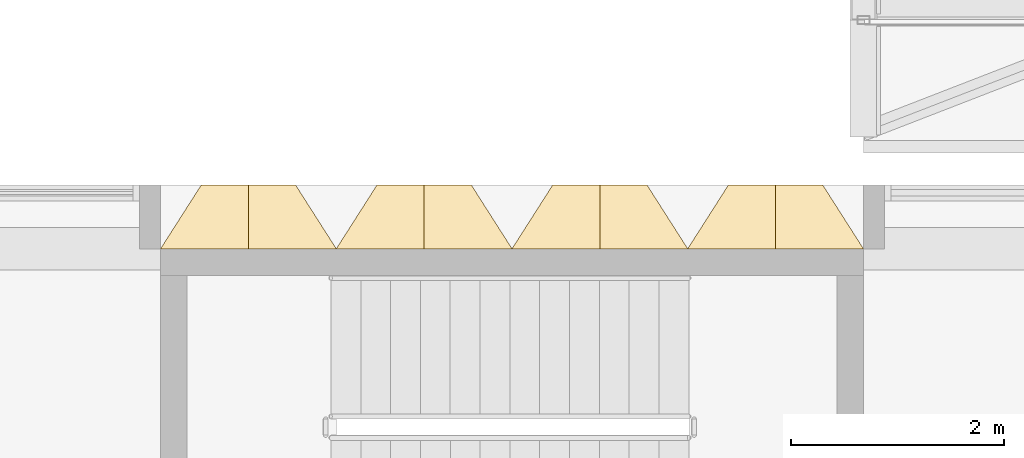
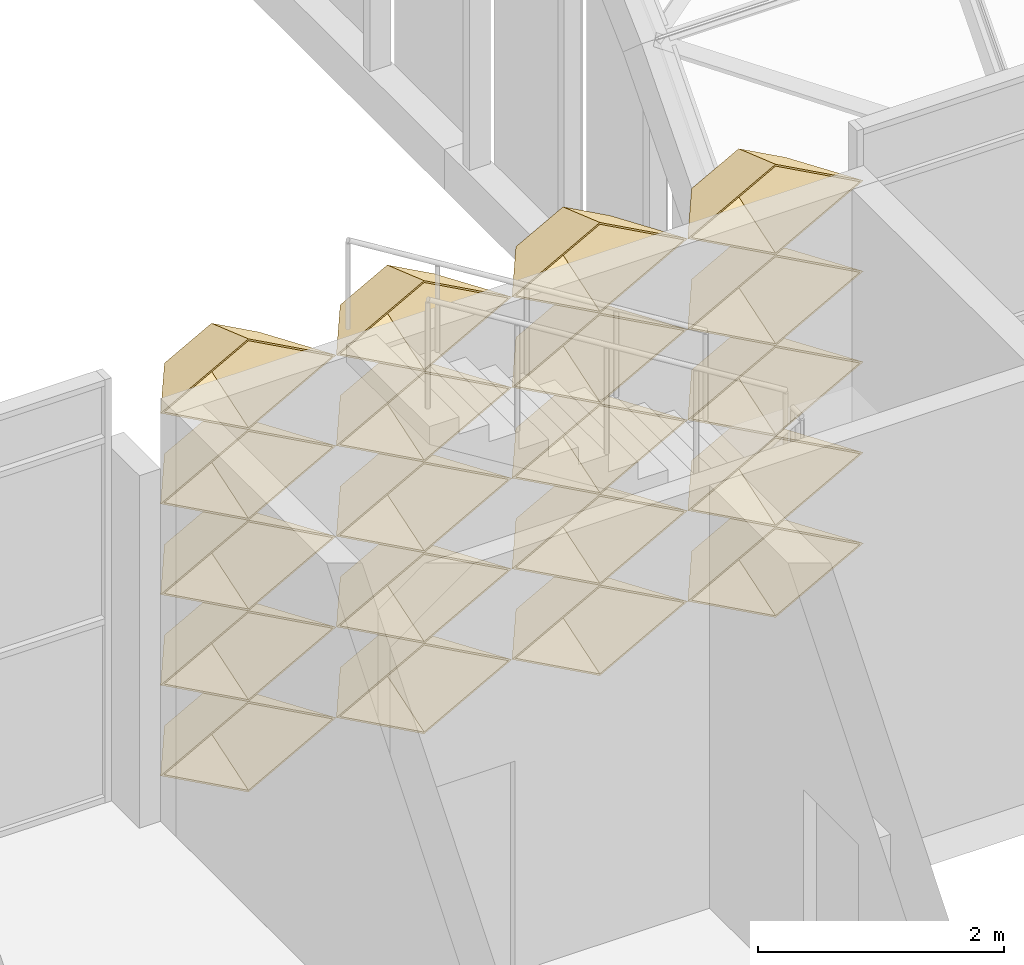
# One storey, part 75 of 109: 20 coverings.
"""IFC4 building model written with IfcOpenShell, lengths in metres."""

import ifcopenshell
import ifcopenshell.guid

model = None  # the IFC model being written
_history = None  # IfcOwnerHistory: only IFC2X3 demands one
_inside = {}  # id of a spatial element -> (the spatial element, [elements in it])
_under = {}  # id of a project, library or spatial element -> (it, [spatial elements below it])
_declared = {}  # id of a project -> (the project, [libraries it declares])
_typed = {}  # id of a type object -> (the type object, [elements of that type])
_made_of = {}  # id of a material, layer set ... -> (it, [elements and type objects made of it])


def new_model(schema):
    """Start an empty IFC model of exactly this schema.

    Asked for "IFC4X3", IfcOpenShell would pick the latest addendum, in which some entities
    have other attributes; the version numbers below select the first issue.
    IFC2X3 requires an IfcOwnerHistory on every rooted entity: one is made here for all.
    """
    global model, _history
    if schema == "IFC4X3":
        model = ifcopenshell.file(schema_version=(4, 3, 0, 0))
    else:
        model = ifcopenshell.file(schema=schema)
    _inside.clear()
    _under.clear()
    _declared.clear()
    _typed.clear()
    _made_of.clear()
    _history = None
    if model.schema == "IFC2X3":
        org = make("IfcOrganization", Name="unknown")
        user = make(
            "IfcPersonAndOrganization",
            ThePerson=make("IfcPerson", FamilyName="unknown"),
            TheOrganization=org,
        )
        app = make(
            "IfcApplication",
            ApplicationDeveloper=org,
            Version="unknown",
            ApplicationFullName="unknown",
            ApplicationIdentifier="unknown",
        )
        _history = make(
            "IfcOwnerHistory",
            OwningUser=user,
            OwningApplication=app,
            ChangeAction="ADDED",
            CreationDate=0,
        )
    return model


def make(cls, **values):
    """One entity of the class cls with the attributes given. An attribute that is None is left unset."""
    return model.create_entity(
        cls, **{name: value for name, value in values.items() if value is not None}
    )


def entity(cls, *values):
    """Any entity or typed value of the class cls, its attributes in the order of the schema. None: left unset."""
    e = model.create_entity(cls)
    for i, value in enumerate(values):
        if value is not None:
            e[i] = value
    return e


def rooted(cls, **values):
    """An entity with a GlobalId (a new one), such as an element, a storey or a relation."""
    return make(cls, GlobalId=ifcopenshell.guid.new(), OwnerHistory=_history, **values)


def si_unit(unit_type, name, prefix=None):
    """IfcSIUnit, for example si_unit("LENGTHUNIT", "METRE", prefix="MILLI")."""
    return make("IfcSIUnit", UnitType=unit_type, Prefix=prefix, Name=name)


def assignment(units):
    """IfcUnitAssignment: the units of a project."""
    return None if units is None else make("IfcUnitAssignment", Units=units)


def point(xyz):
    """IfcCartesianPoint."""
    return None if xyz is None else make("IfcCartesianPoint", Coordinates=xyz)


def direction(xyz):
    """IfcDirection."""
    return None if xyz is None else make("IfcDirection", DirectionRatios=xyz)


def frame(location, z_axis=None, x_axis=None):
    """IfcAxis2Placement3D, a coordinate frame: its origin and axes. An axis left out is left unset."""
    return make(
        "IfcAxis2Placement3D",
        Location=point(location),
        Axis=direction(z_axis),
        RefDirection=direction(x_axis),
    )


def origin():
    """The frame at (0, 0, 0) with its axes left unset."""
    return frame((0.0, 0.0, 0.0))


def place(relative_to, where):
    """IfcLocalPlacement: puts the frame where relative to a parent placement (None: the world)."""
    return make(
        "IfcLocalPlacement", PlacementRelTo=relative_to, RelativePlacement=where
    )


def context(
    kind, dimensions, precision=None, world=None, true_north=None, identifier=None
):
    """IfcGeometricRepresentationContext, for example the 3D "Model" context."""
    return make(
        "IfcGeometricRepresentationContext",
        ContextIdentifier=identifier,
        ContextType=kind,
        CoordinateSpaceDimension=dimensions,
        Precision=precision,
        WorldCoordinateSystem=world,
        TrueNorth=true_north,
    )


def subcontext(parent, identifier, kind, view, scale=None):
    """IfcGeometricRepresentationSubContext, for example "Body" below "Model"."""
    return make(
        "IfcGeometricRepresentationSubContext",
        ContextIdentifier=identifier,
        ContextType=kind,
        ParentContext=parent,
        TargetScale=scale,
        TargetView=view,
    )


def project(units=None, contexts=None):
    """IfcProject with its units and contexts."""
    return rooted(
        "IfcProject",
        Name="project",
        RepresentationContexts=contexts,
        UnitsInContext=assignment(units),
    )


def spatial(cls, under=None, at=None, **own):
    """A site, building, storey or space (cls), placed at a placement, below another one or the project."""
    s = rooted(cls, ObjectPlacement=at, **own)
    if under is not None:
        _under.setdefault(under.id(), (under, []))[1].append(s)
    return s


def shape(context_of_items, identifier, shape_type, items):
    """IfcShapeRepresentation: the items that make up one representation, for example the "Body"."""
    return make(
        "IfcShapeRepresentation",
        ContextOfItems=context_of_items,
        RepresentationIdentifier=identifier,
        RepresentationType=shape_type,
        Items=items,
    )


def material(Name=None, Category=None):
    """IfcMaterial."""
    return make("IfcMaterial", Name=Name, Category=Category)


def layer(
    of_material, thickness, ventilated=None, Name=None, Category=None, Priority=None
):
    """IfcMaterialLayer: one layer of a wall or slab, of a material (None: an air gap)."""
    return make(
        "IfcMaterialLayer",
        Material=of_material,
        LayerThickness=thickness,
        IsVentilated=ventilated,
        Name=Name,
        Category=Category,
        Priority=Priority,
    )


def layer_set(layers, Name=None):
    """IfcMaterialLayerSet."""
    return make("IfcMaterialLayerSet", MaterialLayers=layers, LayerSetName=Name)


def made_of(thing, what):
    """Note that an element or type object is made of a material, layer set ...; save() writes the relation."""
    if what is not None:
        _made_of.setdefault(what.id(), (what, []))[1].append(thing)
    return thing


def type_object(cls, material=None, **own):
    """A type object (cls), such as IfcWallType, which elements share."""
    return made_of(rooted(cls, **own), material)


def element(
    cls,
    number,
    at=None,
    inside=None,
    cuts=None,
    type_object=None,
    material=None,
    context=None,
    identifier="Body",
    shape_type=None,
    held_by="IfcProductDefinitionShape",
    body=None,
    shapes=None,
    **own,
):
    """One element of the class cls, such as IfcWall. Its Tag is "e" and its number.

    at: its placement. inside: the storey or other place that contains it. cuts: it is an
    opening in that element (IfcRelVoidsElement). A single representation is given by context,
    identifier, shape_type and body (its items); several are given by shapes. held_by: the class
    of the entity that holds the representations. save() writes the other relations.
    """
    e = rooted(cls, Tag="e%d" % number, ObjectPlacement=at, **own)
    if body is not None:
        shapes = [shape(context, identifier, shape_type, body)]
    if shapes is not None:
        e.Representation = make(held_by, Representations=shapes)
    if inside is not None:
        _inside.setdefault(inside.id(), (inside, []))[1].append(e)
    if cuts is not None:
        rooted(
            "IfcRelVoidsElement", RelatingBuildingElement=cuts, RelatedOpeningElement=e
        )
    if type_object is not None:
        _typed.setdefault(type_object.id(), (type_object, []))[1].append(e)
    return made_of(e, material)


def aggregate(whole, parts):
    """IfcRelAggregates: a whole, such as a stair, and the parts it consists of."""
    return rooted("IfcRelAggregates", RelatingObject=whole, RelatedObjects=parts)


def save(model, path):
    """Write the relations noted so far, then the file.

    IfcRelAggregates (storeys below a building ...), IfcRelContainedInSpatialStructure (elements
    in a storey), IfcRelDefinesByType, IfcRelAssociatesMaterial and IfcRelDeclares: one each for
    every whole, place, type object, material and project.
    """
    for whole, parts in _under.values():
        aggregate(whole, parts)
    for where, things in _inside.values():
        rooted(
            "IfcRelContainedInSpatialStructure",
            RelatedElements=things,
            RelatingStructure=where,
        )
    for kind, things in _typed.values():
        rooted("IfcRelDefinesByType", RelatedObjects=things, RelatingType=kind)
    for what, things in _made_of.values():
        rooted("IfcRelAssociatesMaterial", RelatedObjects=things, RelatingMaterial=what)
    for by, libraries in _declared.values():
        rooted("IfcRelDeclares", RelatingContext=by, RelatedDefinitions=libraries)
    model.write(path)


model = new_model("IFC4")

# Units and contexts
model_context = context("Model", 3, precision=1e-05, world=origin(), true_north=direction((0.0, 1.0)))
body_context = subcontext(model_context, "Body", "Model", "MODEL_VIEW")
ifc_project = project(units=[si_unit("LENGTHUNIT", "METRE"), si_unit("AREAUNIT", "SQUARE_METRE"), si_unit("VOLUMEUNIT", "CUBIC_METRE"), si_unit("PLANEANGLEUNIT", "RADIAN"), si_unit("MASSUNIT", "GRAM", prefix="KILO")], contexts=[model_context])

# Site, building, storey
site_placement = place(None, origin())
site = spatial("IfcSite", under=ifc_project, at=site_placement, CompositionType="ELEMENT")
building_placement = place(site_placement, origin())
building = spatial("IfcBuilding", under=site, at=building_placement, Name="Lantern Court Research Institute", CompositionType="ELEMENT")
storey_placement = place(building_placement, frame((0.0, 0.0, 14.39990234375)))
storey = spatial("IfcBuildingStorey", under=building, at=storey_placement, Name="L03", CompositionType="ELEMENT", Elevation=14.39990234375)

# Coverings
ifc_material = material(Name="Anodised aluminium", Category="aluminium")
ifc_layer = layer(ifc_material, 0.01611328125)
ifc_layer_set = layer_set([ifc_layer], Name="Anodised aluminium")
covering_type = type_object("IfcCoveringType", Name="Fin cassette 1650 x 900 x 600 aluminium", PredefinedType="CLADDING", material=ifc_layer_set)
covering_1_placement = place(storey_placement, frame((33.824951171875, 23.10009765625, 0.4501953125), z_axis=(0.0, 1.0, 0.0), x_axis=(-1.0, 0.0, 0.0)))
cartesian_point_1 = entity("IfcCartesianPoint", [0.824951171875, 0.0])
cartesian_point_2 = entity("IfcCartesianPoint", [0.79150390625, 0.0])
cartesian_point_3 = entity("IfcCartesianPoint", [0.44189453125, 0.0])
cartesian_point_4 = entity("IfcCartesianPoint", [0.43359375, 0.0])
element("IfcCovering", 1, at=covering_1_placement, inside=storey, type_object=covering_type, Name="Fin cassette V4N-L03 1.21", PredefinedType="CLADDING", context=body_context, shape_type="SweptSolid", body=[
    entity("IfcExtrudedAreaSolidTapered", entity("IfcArbitraryProfileDefWithVoids", "AREA", None, entity("IfcPolyline", [cartesian_point_1, entity("IfcCartesianPoint", [0.0, 0.449951171875]), entity("IfcCartesianPoint", [-0.824951171875, 0.0]), entity("IfcCartesianPoint", [0.0, -0.449951171875]), cartesian_point_1]), [entity("IfcPolyline", [cartesian_point_2, entity("IfcCartesianPoint", [0.0, 0.431884765625]), entity("IfcCartesianPoint", [-0.79150390625, 0.0]), entity("IfcCartesianPoint", [0.0, -0.431884765625]), cartesian_point_2])]), entity("IfcAxis2Placement3D", entity("IfcCartesianPoint", [0.0, 0.0, 0.0])), entity("IfcDirection", [0.0, 0.0, 1.0]), 0.60009765625, entity("IfcArbitraryProfileDefWithVoids", "AREA", None, entity("IfcPolyline", [cartesian_point_3, entity("IfcCartesianPoint", [0.0, 0.240966796875]), entity("IfcCartesianPoint", [-0.44189453125, 0.0]), entity("IfcCartesianPoint", [0.0, -0.240966796875]), cartesian_point_3]), [entity("IfcPolyline", [cartesian_point_4, entity("IfcCartesianPoint", [0.0, 0.236572265625]), entity("IfcCartesianPoint", [-0.43359375, 0.0]), entity("IfcCartesianPoint", [0.0, -0.236572265625]), cartesian_point_4])])),
])
covering_2_placement = place(storey_placement, frame((35.47509765625, 23.10009765625, 0.4501953125), z_axis=(0.0, 1.0, 0.0), x_axis=(-1.0, 0.0, 0.0)))
cartesian_point_5 = entity("IfcCartesianPoint", [0.824951171875, 0.0])
cartesian_point_6 = entity("IfcCartesianPoint", [0.79150390625, 0.0])
cartesian_point_7 = entity("IfcCartesianPoint", [0.44189453125, 0.0])
cartesian_point_8 = entity("IfcCartesianPoint", [0.43359375, 0.0])
element("IfcCovering", 2, at=covering_2_placement, inside=storey, type_object=covering_type, Name="Fin cassette V4N-L03 1.22", PredefinedType="CLADDING", context=body_context, shape_type="SweptSolid", body=[
    entity("IfcExtrudedAreaSolidTapered", entity("IfcArbitraryProfileDefWithVoids", "AREA", None, entity("IfcPolyline", [cartesian_point_5, entity("IfcCartesianPoint", [0.0, 0.449951171875]), entity("IfcCartesianPoint", [-0.824951171875, 0.0]), entity("IfcCartesianPoint", [0.0, -0.449951171875]), cartesian_point_5]), [entity("IfcPolyline", [cartesian_point_6, entity("IfcCartesianPoint", [0.0, 0.431884765625]), entity("IfcCartesianPoint", [-0.79150390625, 0.0]), entity("IfcCartesianPoint", [0.0, -0.431884765625]), cartesian_point_6])]), entity("IfcAxis2Placement3D", entity("IfcCartesianPoint", [0.0, 0.0, 0.0])), entity("IfcDirection", [0.0, 0.0, 1.0]), 0.60009765625, entity("IfcArbitraryProfileDefWithVoids", "AREA", None, entity("IfcPolyline", [cartesian_point_7, entity("IfcCartesianPoint", [0.0, 0.240966796875]), entity("IfcCartesianPoint", [-0.44189453125, 0.0]), entity("IfcCartesianPoint", [0.0, -0.240966796875]), cartesian_point_7]), [entity("IfcPolyline", [cartesian_point_8, entity("IfcCartesianPoint", [0.0, 0.236572265625]), entity("IfcCartesianPoint", [-0.43359375, 0.0]), entity("IfcCartesianPoint", [0.0, -0.236572265625]), cartesian_point_8])])),
])
covering_3_placement = place(storey_placement, frame((37.125, 23.10009765625, 0.4501953125), z_axis=(0.0, 1.0, 0.0), x_axis=(-1.0, 0.0, 0.0)))
cartesian_point_9 = entity("IfcCartesianPoint", [0.824951171875, 0.0])
cartesian_point_10 = entity("IfcCartesianPoint", [0.79150390625, 0.0])
cartesian_point_11 = entity("IfcCartesianPoint", [0.44189453125, 0.0])
cartesian_point_12 = entity("IfcCartesianPoint", [0.43359375, 0.0])
element("IfcCovering", 3, at=covering_3_placement, inside=storey, type_object=covering_type, Name="Fin cassette V4N-L03 1.23", PredefinedType="CLADDING", context=body_context, shape_type="SweptSolid", body=[
    entity("IfcExtrudedAreaSolidTapered", entity("IfcArbitraryProfileDefWithVoids", "AREA", None, entity("IfcPolyline", [cartesian_point_9, entity("IfcCartesianPoint", [0.0, 0.449951171875]), entity("IfcCartesianPoint", [-0.824951171875, 0.0]), entity("IfcCartesianPoint", [0.0, -0.449951171875]), cartesian_point_9]), [entity("IfcPolyline", [cartesian_point_10, entity("IfcCartesianPoint", [0.0, 0.431884765625]), entity("IfcCartesianPoint", [-0.79150390625, 0.0]), entity("IfcCartesianPoint", [0.0, -0.431884765625]), cartesian_point_10])]), entity("IfcAxis2Placement3D", entity("IfcCartesianPoint", [0.0, 0.0, 0.0])), entity("IfcDirection", [0.0, 0.0, 1.0]), 0.60009765625, entity("IfcArbitraryProfileDefWithVoids", "AREA", None, entity("IfcPolyline", [cartesian_point_11, entity("IfcCartesianPoint", [0.0, 0.240966796875]), entity("IfcCartesianPoint", [-0.44189453125, 0.0]), entity("IfcCartesianPoint", [0.0, -0.240966796875]), cartesian_point_11]), [entity("IfcPolyline", [cartesian_point_12, entity("IfcCartesianPoint", [0.0, 0.236572265625]), entity("IfcCartesianPoint", [-0.43359375, 0.0]), entity("IfcCartesianPoint", [0.0, -0.236572265625]), cartesian_point_12])])),
])
covering_4_placement = place(storey_placement, frame((38.77490234375, 23.10009765625, 0.4501953125), z_axis=(0.0, 1.0, 0.0), x_axis=(-1.0, 0.0, 0.0)))
cartesian_point_13 = entity("IfcCartesianPoint", [0.824951171875, 0.0])
cartesian_point_14 = entity("IfcCartesianPoint", [0.79150390625, 0.0])
cartesian_point_15 = entity("IfcCartesianPoint", [0.44189453125, 0.0])
cartesian_point_16 = entity("IfcCartesianPoint", [0.43359375, 0.0])
element("IfcCovering", 4, at=covering_4_placement, inside=storey, type_object=covering_type, Name="Fin cassette V4N-L03 1.24", PredefinedType="CLADDING", context=body_context, shape_type="SweptSolid", body=[
    entity("IfcExtrudedAreaSolidTapered", entity("IfcArbitraryProfileDefWithVoids", "AREA", None, entity("IfcPolyline", [cartesian_point_13, entity("IfcCartesianPoint", [0.0, 0.449951171875]), entity("IfcCartesianPoint", [-0.824951171875, 0.0]), entity("IfcCartesianPoint", [0.0, -0.449951171875]), cartesian_point_13]), [entity("IfcPolyline", [cartesian_point_14, entity("IfcCartesianPoint", [0.0, 0.431884765625]), entity("IfcCartesianPoint", [-0.79150390625, 0.0]), entity("IfcCartesianPoint", [0.0, -0.431884765625]), cartesian_point_14])]), entity("IfcAxis2Placement3D", entity("IfcCartesianPoint", [0.0, 0.0, 0.0])), entity("IfcDirection", [0.0, 0.0, 1.0]), 0.60009765625, entity("IfcArbitraryProfileDefWithVoids", "AREA", None, entity("IfcPolyline", [cartesian_point_15, entity("IfcCartesianPoint", [0.0, 0.240966796875]), entity("IfcCartesianPoint", [-0.44189453125, 0.0]), entity("IfcCartesianPoint", [0.0, -0.240966796875]), cartesian_point_15]), [entity("IfcPolyline", [cartesian_point_16, entity("IfcCartesianPoint", [0.0, 0.236572265625]), entity("IfcCartesianPoint", [-0.43359375, 0.0]), entity("IfcCartesianPoint", [0.0, -0.236572265625]), cartesian_point_16])])),
])
covering_5_placement = place(storey_placement, frame((33.824951171875, 23.10009765625, 1.35009765625), z_axis=(0.0, 1.0, 0.0), x_axis=(-1.0, 0.0, 0.0)))
cartesian_point_17 = entity("IfcCartesianPoint", [0.824951171875, 0.0])
cartesian_point_18 = entity("IfcCartesianPoint", [0.79150390625, 0.0])
cartesian_point_19 = entity("IfcCartesianPoint", [0.44189453125, 0.0])
cartesian_point_20 = entity("IfcCartesianPoint", [0.43359375, 0.0])
element("IfcCovering", 5, at=covering_5_placement, inside=storey, type_object=covering_type, Name="Fin cassette V4N-L03 2.21", PredefinedType="CLADDING", context=body_context, shape_type="SweptSolid", body=[
    entity("IfcExtrudedAreaSolidTapered", entity("IfcArbitraryProfileDefWithVoids", "AREA", None, entity("IfcPolyline", [cartesian_point_17, entity("IfcCartesianPoint", [0.0, 0.449951171875]), entity("IfcCartesianPoint", [-0.824951171875, 0.0]), entity("IfcCartesianPoint", [0.0, -0.449951171875]), cartesian_point_17]), [entity("IfcPolyline", [cartesian_point_18, entity("IfcCartesianPoint", [0.0, 0.431884765625]), entity("IfcCartesianPoint", [-0.79150390625, 0.0]), entity("IfcCartesianPoint", [0.0, -0.431884765625]), cartesian_point_18])]), entity("IfcAxis2Placement3D", entity("IfcCartesianPoint", [0.0, 0.0, 0.0])), entity("IfcDirection", [0.0, 0.0, 1.0]), 0.60009765625, entity("IfcArbitraryProfileDefWithVoids", "AREA", None, entity("IfcPolyline", [cartesian_point_19, entity("IfcCartesianPoint", [0.0, 0.240966796875]), entity("IfcCartesianPoint", [-0.44189453125, 0.0]), entity("IfcCartesianPoint", [0.0, -0.240966796875]), cartesian_point_19]), [entity("IfcPolyline", [cartesian_point_20, entity("IfcCartesianPoint", [0.0, 0.236572265625]), entity("IfcCartesianPoint", [-0.43359375, 0.0]), entity("IfcCartesianPoint", [0.0, -0.236572265625]), cartesian_point_20])])),
])
covering_6_placement = place(storey_placement, frame((35.47509765625, 23.10009765625, 1.35009765625), z_axis=(0.0, 1.0, 0.0), x_axis=(-1.0, 0.0, 0.0)))
cartesian_point_21 = entity("IfcCartesianPoint", [0.824951171875, 0.0])
cartesian_point_22 = entity("IfcCartesianPoint", [0.79150390625, 0.0])
cartesian_point_23 = entity("IfcCartesianPoint", [0.44189453125, 0.0])
cartesian_point_24 = entity("IfcCartesianPoint", [0.43359375, 0.0])
element("IfcCovering", 6, at=covering_6_placement, inside=storey, type_object=covering_type, Name="Fin cassette V4N-L03 2.22", PredefinedType="CLADDING", context=body_context, shape_type="SweptSolid", body=[
    entity("IfcExtrudedAreaSolidTapered", entity("IfcArbitraryProfileDefWithVoids", "AREA", None, entity("IfcPolyline", [cartesian_point_21, entity("IfcCartesianPoint", [0.0, 0.449951171875]), entity("IfcCartesianPoint", [-0.824951171875, 0.0]), entity("IfcCartesianPoint", [0.0, -0.449951171875]), cartesian_point_21]), [entity("IfcPolyline", [cartesian_point_22, entity("IfcCartesianPoint", [0.0, 0.431884765625]), entity("IfcCartesianPoint", [-0.79150390625, 0.0]), entity("IfcCartesianPoint", [0.0, -0.431884765625]), cartesian_point_22])]), entity("IfcAxis2Placement3D", entity("IfcCartesianPoint", [0.0, 0.0, 0.0])), entity("IfcDirection", [0.0, 0.0, 1.0]), 0.60009765625, entity("IfcArbitraryProfileDefWithVoids", "AREA", None, entity("IfcPolyline", [cartesian_point_23, entity("IfcCartesianPoint", [0.0, 0.240966796875]), entity("IfcCartesianPoint", [-0.44189453125, 0.0]), entity("IfcCartesianPoint", [0.0, -0.240966796875]), cartesian_point_23]), [entity("IfcPolyline", [cartesian_point_24, entity("IfcCartesianPoint", [0.0, 0.236572265625]), entity("IfcCartesianPoint", [-0.43359375, 0.0]), entity("IfcCartesianPoint", [0.0, -0.236572265625]), cartesian_point_24])])),
])
covering_7_placement = place(storey_placement, frame((37.125, 23.10009765625, 1.35009765625), z_axis=(0.0, 1.0, 0.0), x_axis=(-1.0, 0.0, 0.0)))
cartesian_point_25 = entity("IfcCartesianPoint", [0.824951171875, 0.0])
cartesian_point_26 = entity("IfcCartesianPoint", [0.79150390625, 0.0])
cartesian_point_27 = entity("IfcCartesianPoint", [0.44189453125, 0.0])
cartesian_point_28 = entity("IfcCartesianPoint", [0.43359375, 0.0])
element("IfcCovering", 7, at=covering_7_placement, inside=storey, type_object=covering_type, Name="Fin cassette V4N-L03 2.23", PredefinedType="CLADDING", context=body_context, shape_type="SweptSolid", body=[
    entity("IfcExtrudedAreaSolidTapered", entity("IfcArbitraryProfileDefWithVoids", "AREA", None, entity("IfcPolyline", [cartesian_point_25, entity("IfcCartesianPoint", [0.0, 0.449951171875]), entity("IfcCartesianPoint", [-0.824951171875, 0.0]), entity("IfcCartesianPoint", [0.0, -0.449951171875]), cartesian_point_25]), [entity("IfcPolyline", [cartesian_point_26, entity("IfcCartesianPoint", [0.0, 0.431884765625]), entity("IfcCartesianPoint", [-0.79150390625, 0.0]), entity("IfcCartesianPoint", [0.0, -0.431884765625]), cartesian_point_26])]), entity("IfcAxis2Placement3D", entity("IfcCartesianPoint", [0.0, 0.0, 0.0])), entity("IfcDirection", [0.0, 0.0, 1.0]), 0.60009765625, entity("IfcArbitraryProfileDefWithVoids", "AREA", None, entity("IfcPolyline", [cartesian_point_27, entity("IfcCartesianPoint", [0.0, 0.240966796875]), entity("IfcCartesianPoint", [-0.44189453125, 0.0]), entity("IfcCartesianPoint", [0.0, -0.240966796875]), cartesian_point_27]), [entity("IfcPolyline", [cartesian_point_28, entity("IfcCartesianPoint", [0.0, 0.236572265625]), entity("IfcCartesianPoint", [-0.43359375, 0.0]), entity("IfcCartesianPoint", [0.0, -0.236572265625]), cartesian_point_28])])),
])
covering_8_placement = place(storey_placement, frame((38.77490234375, 23.10009765625, 1.35009765625), z_axis=(0.0, 1.0, 0.0), x_axis=(-1.0, 0.0, 0.0)))
cartesian_point_29 = entity("IfcCartesianPoint", [0.824951171875, 0.0])
cartesian_point_30 = entity("IfcCartesianPoint", [0.79150390625, 0.0])
cartesian_point_31 = entity("IfcCartesianPoint", [0.44189453125, 0.0])
cartesian_point_32 = entity("IfcCartesianPoint", [0.43359375, 0.0])
element("IfcCovering", 8, at=covering_8_placement, inside=storey, type_object=covering_type, Name="Fin cassette V4N-L03 2.24", PredefinedType="CLADDING", context=body_context, shape_type="SweptSolid", body=[
    entity("IfcExtrudedAreaSolidTapered", entity("IfcArbitraryProfileDefWithVoids", "AREA", None, entity("IfcPolyline", [cartesian_point_29, entity("IfcCartesianPoint", [0.0, 0.449951171875]), entity("IfcCartesianPoint", [-0.824951171875, 0.0]), entity("IfcCartesianPoint", [0.0, -0.449951171875]), cartesian_point_29]), [entity("IfcPolyline", [cartesian_point_30, entity("IfcCartesianPoint", [0.0, 0.431884765625]), entity("IfcCartesianPoint", [-0.79150390625, 0.0]), entity("IfcCartesianPoint", [0.0, -0.431884765625]), cartesian_point_30])]), entity("IfcAxis2Placement3D", entity("IfcCartesianPoint", [0.0, 0.0, 0.0])), entity("IfcDirection", [0.0, 0.0, 1.0]), 0.60009765625, entity("IfcArbitraryProfileDefWithVoids", "AREA", None, entity("IfcPolyline", [cartesian_point_31, entity("IfcCartesianPoint", [0.0, 0.240966796875]), entity("IfcCartesianPoint", [-0.44189453125, 0.0]), entity("IfcCartesianPoint", [0.0, -0.240966796875]), cartesian_point_31]), [entity("IfcPolyline", [cartesian_point_32, entity("IfcCartesianPoint", [0.0, 0.236572265625]), entity("IfcCartesianPoint", [-0.43359375, 0.0]), entity("IfcCartesianPoint", [0.0, -0.236572265625]), cartesian_point_32])])),
])
covering_9_placement = place(storey_placement, frame((33.824951171875, 23.10009765625, 2.25), z_axis=(0.0, 1.0, 0.0), x_axis=(-1.0, 0.0, 0.0)))
cartesian_point_33 = entity("IfcCartesianPoint", [0.824951171875, 0.0])
cartesian_point_34 = entity("IfcCartesianPoint", [0.79150390625, 0.0])
cartesian_point_35 = entity("IfcCartesianPoint", [0.44189453125, 0.0])
cartesian_point_36 = entity("IfcCartesianPoint", [0.43359375, 0.0])
element("IfcCovering", 9, at=covering_9_placement, inside=storey, type_object=covering_type, Name="Fin cassette V4N-L03 3.21", PredefinedType="CLADDING", context=body_context, shape_type="SweptSolid", body=[
    entity("IfcExtrudedAreaSolidTapered", entity("IfcArbitraryProfileDefWithVoids", "AREA", None, entity("IfcPolyline", [cartesian_point_33, entity("IfcCartesianPoint", [0.0, 0.449951171875]), entity("IfcCartesianPoint", [-0.824951171875, 0.0]), entity("IfcCartesianPoint", [0.0, -0.449951171875]), cartesian_point_33]), [entity("IfcPolyline", [cartesian_point_34, entity("IfcCartesianPoint", [0.0, 0.431884765625]), entity("IfcCartesianPoint", [-0.79150390625, 0.0]), entity("IfcCartesianPoint", [0.0, -0.431884765625]), cartesian_point_34])]), entity("IfcAxis2Placement3D", entity("IfcCartesianPoint", [0.0, 0.0, 0.0])), entity("IfcDirection", [0.0, 0.0, 1.0]), 0.60009765625, entity("IfcArbitraryProfileDefWithVoids", "AREA", None, entity("IfcPolyline", [cartesian_point_35, entity("IfcCartesianPoint", [0.0, 0.240966796875]), entity("IfcCartesianPoint", [-0.44189453125, 0.0]), entity("IfcCartesianPoint", [0.0, -0.240966796875]), cartesian_point_35]), [entity("IfcPolyline", [cartesian_point_36, entity("IfcCartesianPoint", [0.0, 0.236572265625]), entity("IfcCartesianPoint", [-0.43359375, 0.0]), entity("IfcCartesianPoint", [0.0, -0.236572265625]), cartesian_point_36])])),
])
covering_10_placement = place(storey_placement, frame((35.47509765625, 23.10009765625, 2.25), z_axis=(0.0, 1.0, 0.0), x_axis=(-1.0, 0.0, 0.0)))
cartesian_point_37 = entity("IfcCartesianPoint", [0.824951171875, 0.0])
cartesian_point_38 = entity("IfcCartesianPoint", [0.79150390625, 0.0])
cartesian_point_39 = entity("IfcCartesianPoint", [0.44189453125, 0.0])
cartesian_point_40 = entity("IfcCartesianPoint", [0.43359375, 0.0])
element("IfcCovering", 10, at=covering_10_placement, inside=storey, type_object=covering_type, Name="Fin cassette V4N-L03 3.22", PredefinedType="CLADDING", context=body_context, shape_type="SweptSolid", body=[
    entity("IfcExtrudedAreaSolidTapered", entity("IfcArbitraryProfileDefWithVoids", "AREA", None, entity("IfcPolyline", [cartesian_point_37, entity("IfcCartesianPoint", [0.0, 0.449951171875]), entity("IfcCartesianPoint", [-0.824951171875, 0.0]), entity("IfcCartesianPoint", [0.0, -0.449951171875]), cartesian_point_37]), [entity("IfcPolyline", [cartesian_point_38, entity("IfcCartesianPoint", [0.0, 0.431884765625]), entity("IfcCartesianPoint", [-0.79150390625, 0.0]), entity("IfcCartesianPoint", [0.0, -0.431884765625]), cartesian_point_38])]), entity("IfcAxis2Placement3D", entity("IfcCartesianPoint", [0.0, 0.0, 0.0])), entity("IfcDirection", [0.0, 0.0, 1.0]), 0.60009765625, entity("IfcArbitraryProfileDefWithVoids", "AREA", None, entity("IfcPolyline", [cartesian_point_39, entity("IfcCartesianPoint", [0.0, 0.240966796875]), entity("IfcCartesianPoint", [-0.44189453125, 0.0]), entity("IfcCartesianPoint", [0.0, -0.240966796875]), cartesian_point_39]), [entity("IfcPolyline", [cartesian_point_40, entity("IfcCartesianPoint", [0.0, 0.236572265625]), entity("IfcCartesianPoint", [-0.43359375, 0.0]), entity("IfcCartesianPoint", [0.0, -0.236572265625]), cartesian_point_40])])),
])
covering_11_placement = place(storey_placement, frame((37.125, 23.10009765625, 2.25), z_axis=(0.0, 1.0, 0.0), x_axis=(-1.0, 0.0, 0.0)))
cartesian_point_41 = entity("IfcCartesianPoint", [0.824951171875, 0.0])
cartesian_point_42 = entity("IfcCartesianPoint", [0.79150390625, 0.0])
cartesian_point_43 = entity("IfcCartesianPoint", [0.44189453125, 0.0])
cartesian_point_44 = entity("IfcCartesianPoint", [0.43359375, 0.0])
element("IfcCovering", 11, at=covering_11_placement, inside=storey, type_object=covering_type, Name="Fin cassette V4N-L03 3.23", PredefinedType="CLADDING", context=body_context, shape_type="SweptSolid", body=[
    entity("IfcExtrudedAreaSolidTapered", entity("IfcArbitraryProfileDefWithVoids", "AREA", None, entity("IfcPolyline", [cartesian_point_41, entity("IfcCartesianPoint", [0.0, 0.449951171875]), entity("IfcCartesianPoint", [-0.824951171875, 0.0]), entity("IfcCartesianPoint", [0.0, -0.449951171875]), cartesian_point_41]), [entity("IfcPolyline", [cartesian_point_42, entity("IfcCartesianPoint", [0.0, 0.431884765625]), entity("IfcCartesianPoint", [-0.79150390625, 0.0]), entity("IfcCartesianPoint", [0.0, -0.431884765625]), cartesian_point_42])]), entity("IfcAxis2Placement3D", entity("IfcCartesianPoint", [0.0, 0.0, 0.0])), entity("IfcDirection", [0.0, 0.0, 1.0]), 0.60009765625, entity("IfcArbitraryProfileDefWithVoids", "AREA", None, entity("IfcPolyline", [cartesian_point_43, entity("IfcCartesianPoint", [0.0, 0.240966796875]), entity("IfcCartesianPoint", [-0.44189453125, 0.0]), entity("IfcCartesianPoint", [0.0, -0.240966796875]), cartesian_point_43]), [entity("IfcPolyline", [cartesian_point_44, entity("IfcCartesianPoint", [0.0, 0.236572265625]), entity("IfcCartesianPoint", [-0.43359375, 0.0]), entity("IfcCartesianPoint", [0.0, -0.236572265625]), cartesian_point_44])])),
])
covering_12_placement = place(storey_placement, frame((38.77490234375, 23.10009765625, 2.25), z_axis=(0.0, 1.0, 0.0), x_axis=(-1.0, 0.0, 0.0)))
cartesian_point_45 = entity("IfcCartesianPoint", [0.824951171875, 0.0])
cartesian_point_46 = entity("IfcCartesianPoint", [0.79150390625, 0.0])
cartesian_point_47 = entity("IfcCartesianPoint", [0.44189453125, 0.0])
cartesian_point_48 = entity("IfcCartesianPoint", [0.43359375, 0.0])
element("IfcCovering", 12, at=covering_12_placement, inside=storey, type_object=covering_type, Name="Fin cassette V4N-L03 3.24", PredefinedType="CLADDING", context=body_context, shape_type="SweptSolid", body=[
    entity("IfcExtrudedAreaSolidTapered", entity("IfcArbitraryProfileDefWithVoids", "AREA", None, entity("IfcPolyline", [cartesian_point_45, entity("IfcCartesianPoint", [0.0, 0.449951171875]), entity("IfcCartesianPoint", [-0.824951171875, 0.0]), entity("IfcCartesianPoint", [0.0, -0.449951171875]), cartesian_point_45]), [entity("IfcPolyline", [cartesian_point_46, entity("IfcCartesianPoint", [0.0, 0.431884765625]), entity("IfcCartesianPoint", [-0.79150390625, 0.0]), entity("IfcCartesianPoint", [0.0, -0.431884765625]), cartesian_point_46])]), entity("IfcAxis2Placement3D", entity("IfcCartesianPoint", [0.0, 0.0, 0.0])), entity("IfcDirection", [0.0, 0.0, 1.0]), 0.60009765625, entity("IfcArbitraryProfileDefWithVoids", "AREA", None, entity("IfcPolyline", [cartesian_point_47, entity("IfcCartesianPoint", [0.0, 0.240966796875]), entity("IfcCartesianPoint", [-0.44189453125, 0.0]), entity("IfcCartesianPoint", [0.0, -0.240966796875]), cartesian_point_47]), [entity("IfcPolyline", [cartesian_point_48, entity("IfcCartesianPoint", [0.0, 0.236572265625]), entity("IfcCartesianPoint", [-0.43359375, 0.0]), entity("IfcCartesianPoint", [0.0, -0.236572265625]), cartesian_point_48])])),
])
covering_13_placement = place(storey_placement, frame((33.824951171875, 23.10009765625, 3.150146484375), z_axis=(0.0, 1.0, 0.0), x_axis=(-1.0, 0.0, 0.0)))
cartesian_point_49 = entity("IfcCartesianPoint", [0.824951171875, 0.0])
cartesian_point_50 = entity("IfcCartesianPoint", [0.79150390625, 0.0])
cartesian_point_51 = entity("IfcCartesianPoint", [0.44189453125, 0.0])
cartesian_point_52 = entity("IfcCartesianPoint", [0.43359375, 0.0])
element("IfcCovering", 13, at=covering_13_placement, inside=storey, type_object=covering_type, Name="Fin cassette V4N-L03 4.21", PredefinedType="CLADDING", context=body_context, shape_type="SweptSolid", body=[
    entity("IfcExtrudedAreaSolidTapered", entity("IfcArbitraryProfileDefWithVoids", "AREA", None, entity("IfcPolyline", [cartesian_point_49, entity("IfcCartesianPoint", [0.0, 0.449951171875]), entity("IfcCartesianPoint", [-0.824951171875, 0.0]), entity("IfcCartesianPoint", [0.0, -0.449951171875]), cartesian_point_49]), [entity("IfcPolyline", [cartesian_point_50, entity("IfcCartesianPoint", [0.0, 0.431884765625]), entity("IfcCartesianPoint", [-0.79150390625, 0.0]), entity("IfcCartesianPoint", [0.0, -0.431884765625]), cartesian_point_50])]), entity("IfcAxis2Placement3D", entity("IfcCartesianPoint", [0.0, 0.0, 0.0])), entity("IfcDirection", [0.0, 0.0, 1.0]), 0.60009765625, entity("IfcArbitraryProfileDefWithVoids", "AREA", None, entity("IfcPolyline", [cartesian_point_51, entity("IfcCartesianPoint", [0.0, 0.240966796875]), entity("IfcCartesianPoint", [-0.44189453125, 0.0]), entity("IfcCartesianPoint", [0.0, -0.240966796875]), cartesian_point_51]), [entity("IfcPolyline", [cartesian_point_52, entity("IfcCartesianPoint", [0.0, 0.236572265625]), entity("IfcCartesianPoint", [-0.43359375, 0.0]), entity("IfcCartesianPoint", [0.0, -0.236572265625]), cartesian_point_52])])),
])
covering_14_placement = place(storey_placement, frame((35.47509765625, 23.10009765625, 3.150146484375), z_axis=(0.0, 1.0, 0.0), x_axis=(-1.0, 0.0, 0.0)))
cartesian_point_53 = entity("IfcCartesianPoint", [0.824951171875, 0.0])
cartesian_point_54 = entity("IfcCartesianPoint", [0.79150390625, 0.0])
cartesian_point_55 = entity("IfcCartesianPoint", [0.44189453125, 0.0])
cartesian_point_56 = entity("IfcCartesianPoint", [0.43359375, 0.0])
element("IfcCovering", 14, at=covering_14_placement, inside=storey, type_object=covering_type, Name="Fin cassette V4N-L03 4.22", PredefinedType="CLADDING", context=body_context, shape_type="SweptSolid", body=[
    entity("IfcExtrudedAreaSolidTapered", entity("IfcArbitraryProfileDefWithVoids", "AREA", None, entity("IfcPolyline", [cartesian_point_53, entity("IfcCartesianPoint", [0.0, 0.449951171875]), entity("IfcCartesianPoint", [-0.824951171875, 0.0]), entity("IfcCartesianPoint", [0.0, -0.449951171875]), cartesian_point_53]), [entity("IfcPolyline", [cartesian_point_54, entity("IfcCartesianPoint", [0.0, 0.431884765625]), entity("IfcCartesianPoint", [-0.79150390625, 0.0]), entity("IfcCartesianPoint", [0.0, -0.431884765625]), cartesian_point_54])]), entity("IfcAxis2Placement3D", entity("IfcCartesianPoint", [0.0, 0.0, 0.0])), entity("IfcDirection", [0.0, 0.0, 1.0]), 0.60009765625, entity("IfcArbitraryProfileDefWithVoids", "AREA", None, entity("IfcPolyline", [cartesian_point_55, entity("IfcCartesianPoint", [0.0, 0.240966796875]), entity("IfcCartesianPoint", [-0.44189453125, 0.0]), entity("IfcCartesianPoint", [0.0, -0.240966796875]), cartesian_point_55]), [entity("IfcPolyline", [cartesian_point_56, entity("IfcCartesianPoint", [0.0, 0.236572265625]), entity("IfcCartesianPoint", [-0.43359375, 0.0]), entity("IfcCartesianPoint", [0.0, -0.236572265625]), cartesian_point_56])])),
])
covering_15_placement = place(storey_placement, frame((37.125, 23.10009765625, 3.150146484375), z_axis=(0.0, 1.0, 0.0), x_axis=(-1.0, 0.0, 0.0)))
cartesian_point_57 = entity("IfcCartesianPoint", [0.824951171875, 0.0])
cartesian_point_58 = entity("IfcCartesianPoint", [0.79150390625, 0.0])
cartesian_point_59 = entity("IfcCartesianPoint", [0.44189453125, 0.0])
cartesian_point_60 = entity("IfcCartesianPoint", [0.43359375, 0.0])
element("IfcCovering", 15, at=covering_15_placement, inside=storey, type_object=covering_type, Name="Fin cassette V4N-L03 4.23", PredefinedType="CLADDING", context=body_context, shape_type="SweptSolid", body=[
    entity("IfcExtrudedAreaSolidTapered", entity("IfcArbitraryProfileDefWithVoids", "AREA", None, entity("IfcPolyline", [cartesian_point_57, entity("IfcCartesianPoint", [0.0, 0.449951171875]), entity("IfcCartesianPoint", [-0.824951171875, 0.0]), entity("IfcCartesianPoint", [0.0, -0.449951171875]), cartesian_point_57]), [entity("IfcPolyline", [cartesian_point_58, entity("IfcCartesianPoint", [0.0, 0.431884765625]), entity("IfcCartesianPoint", [-0.79150390625, 0.0]), entity("IfcCartesianPoint", [0.0, -0.431884765625]), cartesian_point_58])]), entity("IfcAxis2Placement3D", entity("IfcCartesianPoint", [0.0, 0.0, 0.0])), entity("IfcDirection", [0.0, 0.0, 1.0]), 0.60009765625, entity("IfcArbitraryProfileDefWithVoids", "AREA", None, entity("IfcPolyline", [cartesian_point_59, entity("IfcCartesianPoint", [0.0, 0.240966796875]), entity("IfcCartesianPoint", [-0.44189453125, 0.0]), entity("IfcCartesianPoint", [0.0, -0.240966796875]), cartesian_point_59]), [entity("IfcPolyline", [cartesian_point_60, entity("IfcCartesianPoint", [0.0, 0.236572265625]), entity("IfcCartesianPoint", [-0.43359375, 0.0]), entity("IfcCartesianPoint", [0.0, -0.236572265625]), cartesian_point_60])])),
])
covering_16_placement = place(storey_placement, frame((38.77490234375, 23.10009765625, 3.150146484375), z_axis=(0.0, 1.0, 0.0), x_axis=(-1.0, 0.0, 0.0)))
cartesian_point_61 = entity("IfcCartesianPoint", [0.824951171875, 0.0])
cartesian_point_62 = entity("IfcCartesianPoint", [0.79150390625, 0.0])
cartesian_point_63 = entity("IfcCartesianPoint", [0.44189453125, 0.0])
cartesian_point_64 = entity("IfcCartesianPoint", [0.43359375, 0.0])
element("IfcCovering", 16, at=covering_16_placement, inside=storey, type_object=covering_type, Name="Fin cassette V4N-L03 4.24", PredefinedType="CLADDING", context=body_context, shape_type="SweptSolid", body=[
    entity("IfcExtrudedAreaSolidTapered", entity("IfcArbitraryProfileDefWithVoids", "AREA", None, entity("IfcPolyline", [cartesian_point_61, entity("IfcCartesianPoint", [0.0, 0.449951171875]), entity("IfcCartesianPoint", [-0.824951171875, 0.0]), entity("IfcCartesianPoint", [0.0, -0.449951171875]), cartesian_point_61]), [entity("IfcPolyline", [cartesian_point_62, entity("IfcCartesianPoint", [0.0, 0.431884765625]), entity("IfcCartesianPoint", [-0.79150390625, 0.0]), entity("IfcCartesianPoint", [0.0, -0.431884765625]), cartesian_point_62])]), entity("IfcAxis2Placement3D", entity("IfcCartesianPoint", [0.0, 0.0, 0.0])), entity("IfcDirection", [0.0, 0.0, 1.0]), 0.60009765625, entity("IfcArbitraryProfileDefWithVoids", "AREA", None, entity("IfcPolyline", [cartesian_point_63, entity("IfcCartesianPoint", [0.0, 0.240966796875]), entity("IfcCartesianPoint", [-0.44189453125, 0.0]), entity("IfcCartesianPoint", [0.0, -0.240966796875]), cartesian_point_63]), [entity("IfcPolyline", [cartesian_point_64, entity("IfcCartesianPoint", [0.0, 0.236572265625]), entity("IfcCartesianPoint", [-0.43359375, 0.0]), entity("IfcCartesianPoint", [0.0, -0.236572265625]), cartesian_point_64])])),
])
covering_17_placement = place(storey_placement, frame((33.824951171875, 23.10009765625, 4.050048828125), z_axis=(0.0, 1.0, 0.0), x_axis=(-1.0, 0.0, 0.0)))
cartesian_point_65 = entity("IfcCartesianPoint", [0.824951171875, 0.0])
cartesian_point_66 = entity("IfcCartesianPoint", [0.79150390625, 0.0])
cartesian_point_67 = entity("IfcCartesianPoint", [0.44189453125, 0.0])
cartesian_point_68 = entity("IfcCartesianPoint", [0.43359375, 0.0])
element("IfcCovering", 17, at=covering_17_placement, inside=storey, type_object=covering_type, Name="Fin cassette V4N-L03 5.21", PredefinedType="CLADDING", context=body_context, shape_type="SweptSolid", body=[
    entity("IfcExtrudedAreaSolidTapered", entity("IfcArbitraryProfileDefWithVoids", "AREA", None, entity("IfcPolyline", [cartesian_point_65, entity("IfcCartesianPoint", [0.0, 0.449951171875]), entity("IfcCartesianPoint", [-0.824951171875, 0.0]), entity("IfcCartesianPoint", [0.0, -0.449951171875]), cartesian_point_65]), [entity("IfcPolyline", [cartesian_point_66, entity("IfcCartesianPoint", [0.0, 0.431884765625]), entity("IfcCartesianPoint", [-0.79150390625, 0.0]), entity("IfcCartesianPoint", [0.0, -0.431884765625]), cartesian_point_66])]), entity("IfcAxis2Placement3D", entity("IfcCartesianPoint", [0.0, 0.0, 0.0])), entity("IfcDirection", [0.0, 0.0, 1.0]), 0.60009765625, entity("IfcArbitraryProfileDefWithVoids", "AREA", None, entity("IfcPolyline", [cartesian_point_67, entity("IfcCartesianPoint", [0.0, 0.240966796875]), entity("IfcCartesianPoint", [-0.44189453125, 0.0]), entity("IfcCartesianPoint", [0.0, -0.240966796875]), cartesian_point_67]), [entity("IfcPolyline", [cartesian_point_68, entity("IfcCartesianPoint", [0.0, 0.236572265625]), entity("IfcCartesianPoint", [-0.43359375, 0.0]), entity("IfcCartesianPoint", [0.0, -0.236572265625]), cartesian_point_68])])),
])
covering_18_placement = place(storey_placement, frame((35.47509765625, 23.10009765625, 4.050048828125), z_axis=(0.0, 1.0, 0.0), x_axis=(-1.0, 0.0, 0.0)))
cartesian_point_69 = entity("IfcCartesianPoint", [0.824951171875, 0.0])
cartesian_point_70 = entity("IfcCartesianPoint", [0.79150390625, 0.0])
cartesian_point_71 = entity("IfcCartesianPoint", [0.44189453125, 0.0])
cartesian_point_72 = entity("IfcCartesianPoint", [0.43359375, 0.0])
element("IfcCovering", 18, at=covering_18_placement, inside=storey, type_object=covering_type, Name="Fin cassette V4N-L03 5.22", PredefinedType="CLADDING", context=body_context, shape_type="SweptSolid", body=[
    entity("IfcExtrudedAreaSolidTapered", entity("IfcArbitraryProfileDefWithVoids", "AREA", None, entity("IfcPolyline", [cartesian_point_69, entity("IfcCartesianPoint", [0.0, 0.449951171875]), entity("IfcCartesianPoint", [-0.824951171875, 0.0]), entity("IfcCartesianPoint", [0.0, -0.449951171875]), cartesian_point_69]), [entity("IfcPolyline", [cartesian_point_70, entity("IfcCartesianPoint", [0.0, 0.431884765625]), entity("IfcCartesianPoint", [-0.79150390625, 0.0]), entity("IfcCartesianPoint", [0.0, -0.431884765625]), cartesian_point_70])]), entity("IfcAxis2Placement3D", entity("IfcCartesianPoint", [0.0, 0.0, 0.0])), entity("IfcDirection", [0.0, 0.0, 1.0]), 0.60009765625, entity("IfcArbitraryProfileDefWithVoids", "AREA", None, entity("IfcPolyline", [cartesian_point_71, entity("IfcCartesianPoint", [0.0, 0.240966796875]), entity("IfcCartesianPoint", [-0.44189453125, 0.0]), entity("IfcCartesianPoint", [0.0, -0.240966796875]), cartesian_point_71]), [entity("IfcPolyline", [cartesian_point_72, entity("IfcCartesianPoint", [0.0, 0.236572265625]), entity("IfcCartesianPoint", [-0.43359375, 0.0]), entity("IfcCartesianPoint", [0.0, -0.236572265625]), cartesian_point_72])])),
])
covering_19_placement = place(storey_placement, frame((37.125, 23.10009765625, 4.050048828125), z_axis=(0.0, 1.0, 0.0), x_axis=(-1.0, 0.0, 0.0)))
cartesian_point_73 = entity("IfcCartesianPoint", [0.824951171875, 0.0])
cartesian_point_74 = entity("IfcCartesianPoint", [0.79150390625, 0.0])
cartesian_point_75 = entity("IfcCartesianPoint", [0.44189453125, 0.0])
cartesian_point_76 = entity("IfcCartesianPoint", [0.43359375, 0.0])
element("IfcCovering", 19, at=covering_19_placement, inside=storey, type_object=covering_type, Name="Fin cassette V4N-L03 5.23", PredefinedType="CLADDING", context=body_context, shape_type="SweptSolid", body=[
    entity("IfcExtrudedAreaSolidTapered", entity("IfcArbitraryProfileDefWithVoids", "AREA", None, entity("IfcPolyline", [cartesian_point_73, entity("IfcCartesianPoint", [0.0, 0.449951171875]), entity("IfcCartesianPoint", [-0.824951171875, 0.0]), entity("IfcCartesianPoint", [0.0, -0.449951171875]), cartesian_point_73]), [entity("IfcPolyline", [cartesian_point_74, entity("IfcCartesianPoint", [0.0, 0.431884765625]), entity("IfcCartesianPoint", [-0.79150390625, 0.0]), entity("IfcCartesianPoint", [0.0, -0.431884765625]), cartesian_point_74])]), entity("IfcAxis2Placement3D", entity("IfcCartesianPoint", [0.0, 0.0, 0.0])), entity("IfcDirection", [0.0, 0.0, 1.0]), 0.60009765625, entity("IfcArbitraryProfileDefWithVoids", "AREA", None, entity("IfcPolyline", [cartesian_point_75, entity("IfcCartesianPoint", [0.0, 0.240966796875]), entity("IfcCartesianPoint", [-0.44189453125, 0.0]), entity("IfcCartesianPoint", [0.0, -0.240966796875]), cartesian_point_75]), [entity("IfcPolyline", [cartesian_point_76, entity("IfcCartesianPoint", [0.0, 0.236572265625]), entity("IfcCartesianPoint", [-0.43359375, 0.0]), entity("IfcCartesianPoint", [0.0, -0.236572265625]), cartesian_point_76])])),
])
covering_20_placement = place(storey_placement, frame((38.77490234375, 23.10009765625, 4.050048828125), z_axis=(0.0, 1.0, 0.0), x_axis=(-1.0, 0.0, 0.0)))
cartesian_point_77 = entity("IfcCartesianPoint", [0.824951171875, 0.0])
cartesian_point_78 = entity("IfcCartesianPoint", [0.79150390625, 0.0])
cartesian_point_79 = entity("IfcCartesianPoint", [0.44189453125, 0.0])
cartesian_point_80 = entity("IfcCartesianPoint", [0.43359375, 0.0])
element("IfcCovering", 20, at=covering_20_placement, inside=storey, type_object=covering_type, Name="Fin cassette V4N-L03 5.24", PredefinedType="CLADDING", context=body_context, shape_type="SweptSolid", body=[
    entity("IfcExtrudedAreaSolidTapered", entity("IfcArbitraryProfileDefWithVoids", "AREA", None, entity("IfcPolyline", [cartesian_point_77, entity("IfcCartesianPoint", [0.0, 0.449951171875]), entity("IfcCartesianPoint", [-0.824951171875, 0.0]), entity("IfcCartesianPoint", [0.0, -0.449951171875]), cartesian_point_77]), [entity("IfcPolyline", [cartesian_point_78, entity("IfcCartesianPoint", [0.0, 0.431884765625]), entity("IfcCartesianPoint", [-0.79150390625, 0.0]), entity("IfcCartesianPoint", [0.0, -0.431884765625]), cartesian_point_78])]), entity("IfcAxis2Placement3D", entity("IfcCartesianPoint", [0.0, 0.0, 0.0])), entity("IfcDirection", [0.0, 0.0, 1.0]), 0.60009765625, entity("IfcArbitraryProfileDefWithVoids", "AREA", None, entity("IfcPolyline", [cartesian_point_79, entity("IfcCartesianPoint", [0.0, 0.240966796875]), entity("IfcCartesianPoint", [-0.44189453125, 0.0]), entity("IfcCartesianPoint", [0.0, -0.240966796875]), cartesian_point_79]), [entity("IfcPolyline", [cartesian_point_80, entity("IfcCartesianPoint", [0.0, 0.236572265625]), entity("IfcCartesianPoint", [-0.43359375, 0.0]), entity("IfcCartesianPoint", [0.0, -0.236572265625]), cartesian_point_80])])),
])

save(model, "model.ifc")
